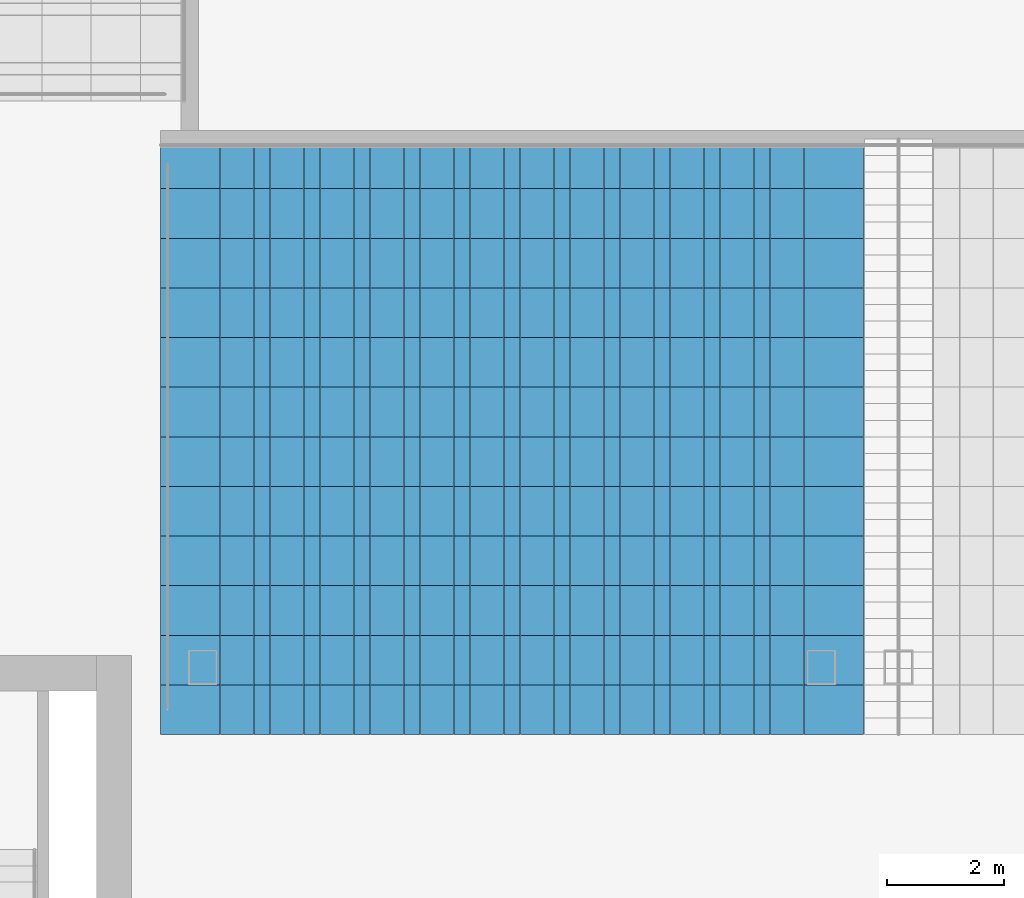
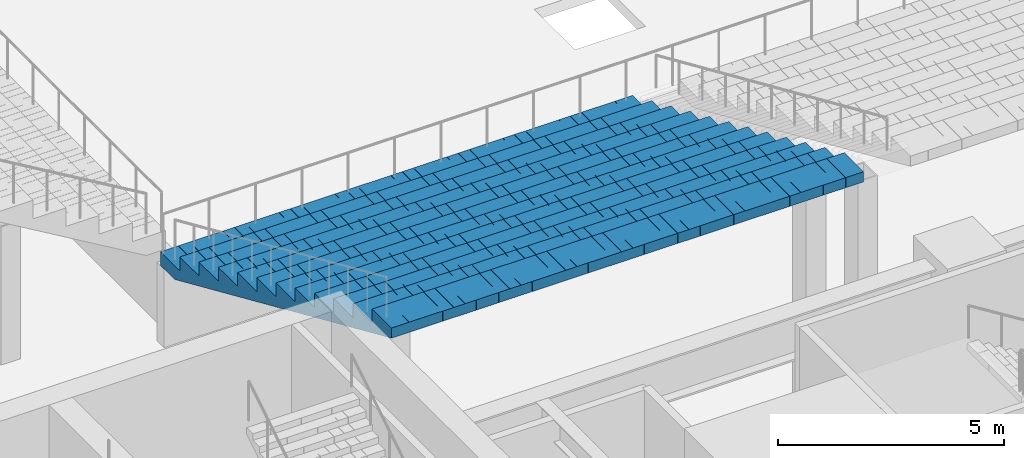
# One storey, part 14 of 62: 1 slab.
"""IFC4 building model written with IfcOpenShell, lengths in metres."""

from ifc_helpers import new_model, si_unit, direction, frame, origin, place, context, subcontext, project, spatial, polyline, outline, extrude, material, layer, layer_set, type_object, element, save


model = new_model("IFC4")

# Units and contexts
model_context = context("Model", 3, precision=1e-05, world=origin(), true_north=direction((0.0, 1.0)))
body_context = subcontext(model_context, "Body", "Model", "MODEL_VIEW")
ifc_project = project(units=[si_unit("LENGTHUNIT", "METRE"), si_unit("AREAUNIT", "SQUARE_METRE"), si_unit("VOLUMEUNIT", "CUBIC_METRE"), si_unit("PLANEANGLEUNIT", "RADIAN"), si_unit("MASSUNIT", "GRAM", prefix="KILO")], contexts=[model_context])

# Site, building, storey
site_placement = place(None, origin())
site = spatial("IfcSite", under=ifc_project, at=site_placement, CompositionType="ELEMENT")
building_placement = place(site_placement, origin())
building = spatial("IfcBuilding", under=site, at=building_placement, Name="Corbelhall Arena Tower", CompositionType="ELEMENT")
storey_placement = place(building_placement, frame((0.0, 0.0, 12.0)))
storey = spatial("IfcBuildingStorey", under=building, at=storey_placement, Name="L01", CompositionType="ELEMENT", Elevation=12.0)

# Slab
ifc_material = material(Name="Precast concrete C40/50", Category="concrete")
ifc_layer = layer(ifc_material, 0.25)
ifc_layer_set = layer_set([ifc_layer], Name="AR-TIER-RAKED")
slab_type = type_object("IfcSlabType", Name="AR-TIER-RAKED", PredefinedType="FLOOR", material=ifc_layer_set)
slab_placement = place(storey_placement, frame((-26.47998046875, -15.14990234375, 2.125), z_axis=(0.0, 0.0, 1.0), x_axis=(0.0, -1.0, 0.0)))
element("IfcSlab", 1, at=slab_placement, inside=storey, type_object=slab_type, Name="Tier section LSE", PredefinedType="FLOOR", context=body_context, shape_type="SweptSolid", body=[
    extrude(outline(polyline([(0.0, 0.0), (0.0, 0.375), (0.85009765625, 0.375), (0.85009765625, 0.75), (1.699951171875, 0.75), (1.699951171875, 1.125), (2.550048828125, 1.125), (2.550048828125, 1.5), (3.39990234375, 1.5), (3.39990234375, 1.875), (4.25, 1.875), (4.25, 2.25), (5.10009765625, 2.25), (5.10009765625, 2.625), (5.949951171875, 2.625), (5.949951171875, 3.0), (6.800048828125, 3.0), (6.800048828125, 3.375), (7.64990234375, 3.375), (7.64990234375, 3.75), (8.5, 3.75), (8.5, 4.125), (9.35009765625, 4.125), (9.35009765625, 4.5), (10.199951171875, 4.5), (10.199951171875, 4.875), (10.199951171875, 4.226806640625), (0.619384765625, 0.0), (0.0, 0.0)])), frame((0.0, 6.02001953125, 0.0), z_axis=(0.0, -1.0, 0.0), x_axis=(1.0, 0.0, 0.0)), (0.0, 0.0, 1.0), 0.449951171875),
    extrude(outline(polyline([(0.0, 0.0), (0.0, 0.375), (0.85009765625, 0.375), (0.85009765625, 0.75), (1.699951171875, 0.75), (1.699951171875, 1.125), (2.550048828125, 1.125), (2.550048828125, 1.5), (3.39990234375, 1.5), (3.39990234375, 1.875), (4.25, 1.875), (4.25, 2.25), (5.10009765625, 2.25), (5.10009765625, 2.625), (5.949951171875, 2.625), (5.949951171875, 3.0), (6.800048828125, 3.0), (6.800048828125, 3.375), (7.64990234375, 3.375), (7.64990234375, 3.75), (8.5, 3.75), (8.5, 4.125), (9.35009765625, 4.125), (9.35009765625, 4.5), (10.199951171875, 4.5), (10.199951171875, 4.875), (10.199951171875, 4.226806640625), (0.619384765625, 0.0), (0.0, 0.0)])), frame((0.0, 5.56591796875, 0.0), z_axis=(0.0, -1.0, 0.0), x_axis=(1.0, 0.0, 0.0)), (0.0, 0.0, 1.0), 0.281494140625),
    extrude(outline(polyline([(0.0, 0.0), (0.0, 0.375), (0.85009765625, 0.375), (0.85009765625, 0.75), (1.699951171875, 0.75), (1.699951171875, 1.125), (2.550048828125, 1.125), (2.550048828125, 1.5), (3.39990234375, 1.5), (3.39990234375, 1.875), (4.25, 1.875), (4.25, 2.25), (5.10009765625, 2.25), (5.10009765625, 2.625), (5.949951171875, 2.625), (5.949951171875, 3.0), (6.800048828125, 3.0), (6.800048828125, 3.375), (7.64990234375, 3.375), (7.64990234375, 3.75), (8.5, 3.75), (8.5, 4.125), (9.35009765625, 4.125), (9.35009765625, 4.5), (10.199951171875, 4.5), (10.199951171875, 4.875), (10.199951171875, 4.226806640625), (0.619384765625, 0.0), (0.0, 0.0)])), frame((0.0, 5.280517578125, 0.0), z_axis=(0.0, -1.0, 0.0), x_axis=(1.0, 0.0, 0.0)), (0.0, 0.0, 1.0), 0.281494140625),
    extrude(outline(polyline([(0.0, 0.0), (0.0, 0.375), (0.85009765625, 0.375), (0.85009765625, 0.75), (1.699951171875, 0.75), (1.699951171875, 1.125), (2.550048828125, 1.125), (2.550048828125, 1.5), (3.39990234375, 1.5), (3.39990234375, 1.875), (4.25, 1.875), (4.25, 2.25), (5.10009765625, 2.25), (5.10009765625, 2.625), (5.949951171875, 2.625), (5.949951171875, 3.0), (6.800048828125, 3.0), (6.800048828125, 3.375), (7.64990234375, 3.375), (7.64990234375, 3.75), (8.5, 3.75), (8.5, 4.125), (9.35009765625, 4.125), (9.35009765625, 4.5), (10.199951171875, 4.5), (10.199951171875, 4.875), (10.199951171875, 4.226806640625), (0.619384765625, 0.0), (0.0, 0.0)])), frame((0.0, 4.994873046875, 0.0), z_axis=(0.0, -1.0, 0.0), x_axis=(1.0, 0.0, 0.0)), (0.0, 0.0, 1.0), 0.281494140625),
    extrude(outline(polyline([(0.0, 0.0), (0.0, 0.375), (0.85009765625, 0.375), (0.85009765625, 0.75), (1.699951171875, 0.75), (1.699951171875, 1.125), (2.550048828125, 1.125), (2.550048828125, 1.5), (3.39990234375, 1.5), (3.39990234375, 1.875), (4.25, 1.875), (4.25, 2.25), (5.10009765625, 2.25), (5.10009765625, 2.625), (5.949951171875, 2.625), (5.949951171875, 3.0), (6.800048828125, 3.0), (6.800048828125, 3.375), (7.64990234375, 3.375), (7.64990234375, 3.75), (8.5, 3.75), (8.5, 4.125), (9.35009765625, 4.125), (9.35009765625, 4.5), (10.199951171875, 4.5), (10.199951171875, 4.875), (10.199951171875, 4.226806640625), (0.619384765625, 0.0), (0.0, 0.0)])), frame((0.0, 4.70947265625, 0.0), z_axis=(0.0, -1.0, 0.0), x_axis=(1.0, 0.0, 0.0)), (0.0, 0.0, 1.0), 0.281494140625),
    extrude(outline(polyline([(0.0, 0.0), (0.0, 0.375), (0.85009765625, 0.375), (0.85009765625, 0.75), (1.699951171875, 0.75), (1.699951171875, 1.125), (2.550048828125, 1.125), (2.550048828125, 1.5), (3.39990234375, 1.5), (3.39990234375, 1.875), (4.25, 1.875), (4.25, 2.25), (5.10009765625, 2.25), (5.10009765625, 2.625), (5.949951171875, 2.625), (5.949951171875, 3.0), (6.800048828125, 3.0), (6.800048828125, 3.375), (7.64990234375, 3.375), (7.64990234375, 3.75), (8.5, 3.75), (8.5, 4.125), (9.35009765625, 4.125), (9.35009765625, 4.5), (10.199951171875, 4.5), (10.199951171875, 4.875), (10.199951171875, 4.226806640625), (0.619384765625, 0.0), (0.0, 0.0)])), frame((0.0, 4.423828125, 0.0), z_axis=(0.0, -1.0, 0.0), x_axis=(1.0, 0.0, 0.0)), (0.0, 0.0, 1.0), 0.281494140625),
    extrude(outline(polyline([(0.0, 0.0), (0.0, 0.375), (0.85009765625, 0.375), (0.85009765625, 0.75), (1.699951171875, 0.75), (1.699951171875, 1.125), (2.550048828125, 1.125), (2.550048828125, 1.5), (3.39990234375, 1.5), (3.39990234375, 1.875), (4.25, 1.875), (4.25, 2.25), (5.10009765625, 2.25), (5.10009765625, 2.625), (5.949951171875, 2.625), (5.949951171875, 3.0), (6.800048828125, 3.0), (6.800048828125, 3.375), (7.64990234375, 3.375), (7.64990234375, 3.75), (8.5, 3.75), (8.5, 4.125), (9.35009765625, 4.125), (9.35009765625, 4.5), (10.199951171875, 4.5), (10.199951171875, 4.875), (10.199951171875, 4.226806640625), (0.619384765625, 0.0), (0.0, 0.0)])), frame((0.0, 4.138427734375, 0.0), z_axis=(0.0, -1.0, 0.0), x_axis=(1.0, 0.0, 0.0)), (0.0, 0.0, 1.0), 0.281494140625),
    extrude(outline(polyline([(0.0, 0.0), (0.0, 0.375), (0.85009765625, 0.375), (0.85009765625, 0.75), (1.699951171875, 0.75), (1.699951171875, 1.125), (2.550048828125, 1.125), (2.550048828125, 1.5), (3.39990234375, 1.5), (3.39990234375, 1.875), (4.25, 1.875), (4.25, 2.25), (5.10009765625, 2.25), (5.10009765625, 2.625), (5.949951171875, 2.625), (5.949951171875, 3.0), (6.800048828125, 3.0), (6.800048828125, 3.375), (7.64990234375, 3.375), (7.64990234375, 3.75), (8.5, 3.75), (8.5, 4.125), (9.35009765625, 4.125), (9.35009765625, 4.5), (10.199951171875, 4.5), (10.199951171875, 4.875), (10.199951171875, 4.226806640625), (0.619384765625, 0.0), (0.0, 0.0)])), frame((0.0, 3.852783203125, 0.0), z_axis=(0.0, -1.0, 0.0), x_axis=(1.0, 0.0, 0.0)), (0.0, 0.0, 1.0), 0.281494140625),
    extrude(outline(polyline([(0.0, 0.0), (0.0, 0.375), (0.85009765625, 0.375), (0.85009765625, 0.75), (1.699951171875, 0.75), (1.699951171875, 1.125), (2.550048828125, 1.125), (2.550048828125, 1.5), (3.39990234375, 1.5), (3.39990234375, 1.875), (4.25, 1.875), (4.25, 2.25), (5.10009765625, 2.25), (5.10009765625, 2.625), (5.949951171875, 2.625), (5.949951171875, 3.0), (6.800048828125, 3.0), (6.800048828125, 3.375), (7.64990234375, 3.375), (7.64990234375, 3.75), (8.5, 3.75), (8.5, 4.125), (9.35009765625, 4.125), (9.35009765625, 4.5), (10.199951171875, 4.5), (10.199951171875, 4.875), (10.199951171875, 4.226806640625), (0.619384765625, 0.0), (0.0, 0.0)])), frame((0.0, 3.567138671875, 0.0), z_axis=(0.0, -1.0, 0.0), x_axis=(1.0, 0.0, 0.0)), (0.0, 0.0, 1.0), 0.281494140625),
    extrude(outline(polyline([(0.0, 0.0), (0.0, 0.375), (0.85009765625, 0.375), (0.85009765625, 0.75), (1.699951171875, 0.75), (1.699951171875, 1.125), (2.550048828125, 1.125), (2.550048828125, 1.5), (3.39990234375, 1.5), (3.39990234375, 1.875), (4.25, 1.875), (4.25, 2.25), (5.10009765625, 2.25), (5.10009765625, 2.625), (5.949951171875, 2.625), (5.949951171875, 3.0), (6.800048828125, 3.0), (6.800048828125, 3.375), (7.64990234375, 3.375), (7.64990234375, 3.75), (8.5, 3.75), (8.5, 4.125), (9.35009765625, 4.125), (9.35009765625, 4.5), (10.199951171875, 4.5), (10.199951171875, 4.875), (10.199951171875, 4.226806640625), (0.619384765625, 0.0), (0.0, 0.0)])), frame((0.0, 3.28173828125, 0.0), z_axis=(0.0, -1.0, 0.0), x_axis=(1.0, 0.0, 0.0)), (0.0, 0.0, 1.0), 0.281494140625),
    extrude(outline(polyline([(0.0, 0.0), (0.0, 0.375), (0.85009765625, 0.375), (0.85009765625, 0.75), (1.699951171875, 0.75), (1.699951171875, 1.125), (2.550048828125, 1.125), (2.550048828125, 1.5), (3.39990234375, 1.5), (3.39990234375, 1.875), (4.25, 1.875), (4.25, 2.25), (5.10009765625, 2.25), (5.10009765625, 2.625), (5.949951171875, 2.625), (5.949951171875, 3.0), (6.800048828125, 3.0), (6.800048828125, 3.375), (7.64990234375, 3.375), (7.64990234375, 3.75), (8.5, 3.75), (8.5, 4.125), (9.35009765625, 4.125), (9.35009765625, 4.5), (10.199951171875, 4.5), (10.199951171875, 4.875), (10.199951171875, 4.226806640625), (0.619384765625, 0.0), (0.0, 0.0)])), frame((0.0, 2.99609375, 0.0), z_axis=(0.0, -1.0, 0.0), x_axis=(1.0, 0.0, 0.0)), (0.0, 0.0, 1.0), 0.281494140625),
    extrude(outline(polyline([(0.0, 0.0), (0.0, 0.375), (0.85009765625, 0.375), (0.85009765625, 0.75), (1.699951171875, 0.75), (1.699951171875, 1.125), (2.550048828125, 1.125), (2.550048828125, 1.5), (3.39990234375, 1.5), (3.39990234375, 1.875), (4.25, 1.875), (4.25, 2.25), (5.10009765625, 2.25), (5.10009765625, 2.625), (5.949951171875, 2.625), (5.949951171875, 3.0), (6.800048828125, 3.0), (6.800048828125, 3.375), (7.64990234375, 3.375), (7.64990234375, 3.75), (8.5, 3.75), (8.5, 4.125), (9.35009765625, 4.125), (9.35009765625, 4.5), (10.199951171875, 4.5), (10.199951171875, 4.875), (10.199951171875, 4.226806640625), (0.619384765625, 0.0), (0.0, 0.0)])), frame((0.0, 2.710693359375, 0.0), z_axis=(0.0, -1.0, 0.0), x_axis=(1.0, 0.0, 0.0)), (0.0, 0.0, 1.0), 0.281494140625),
    extrude(outline(polyline([(0.0, 0.0), (0.0, 0.375), (0.85009765625, 0.375), (0.85009765625, 0.75), (1.699951171875, 0.75), (1.699951171875, 1.125), (2.550048828125, 1.125), (2.550048828125, 1.5), (3.39990234375, 1.5), (3.39990234375, 1.875), (4.25, 1.875), (4.25, 2.25), (5.10009765625, 2.25), (5.10009765625, 2.625), (5.949951171875, 2.625), (5.949951171875, 3.0), (6.800048828125, 3.0), (6.800048828125, 3.375), (7.64990234375, 3.375), (7.64990234375, 3.75), (8.5, 3.75), (8.5, 4.125), (9.35009765625, 4.125), (9.35009765625, 4.5), (10.199951171875, 4.5), (10.199951171875, 4.875), (10.199951171875, 4.226806640625), (0.619384765625, 0.0), (0.0, 0.0)])), frame((0.0, 2.425048828125, 0.0), z_axis=(0.0, -1.0, 0.0), x_axis=(1.0, 0.0, 0.0)), (0.0, 0.0, 1.0), 0.281494140625),
    extrude(outline(polyline([(0.0, 0.0), (0.0, 0.375), (0.85009765625, 0.375), (0.85009765625, 0.75), (1.699951171875, 0.75), (1.699951171875, 1.125), (2.550048828125, 1.125), (2.550048828125, 1.5), (3.39990234375, 1.5), (3.39990234375, 1.875), (4.25, 1.875), (4.25, 2.25), (5.10009765625, 2.25), (5.10009765625, 2.625), (5.949951171875, 2.625), (5.949951171875, 3.0), (6.800048828125, 3.0), (6.800048828125, 3.375), (7.64990234375, 3.375), (7.64990234375, 3.75), (8.5, 3.75), (8.5, 4.125), (9.35009765625, 4.125), (9.35009765625, 4.5), (10.199951171875, 4.5), (10.199951171875, 4.875), (10.199951171875, 4.226806640625), (0.619384765625, 0.0), (0.0, 0.0)])), frame((0.0, 2.1396484375, 0.0), z_axis=(0.0, -1.0, 0.0), x_axis=(1.0, 0.0, 0.0)), (0.0, 0.0, 1.0), 0.281494140625),
    extrude(outline(polyline([(0.0, 0.0), (0.0, 0.375), (0.85009765625, 0.375), (0.85009765625, 0.75), (1.699951171875, 0.75), (1.699951171875, 1.125), (2.550048828125, 1.125), (2.550048828125, 1.5), (3.39990234375, 1.5), (3.39990234375, 1.875), (4.25, 1.875), (4.25, 2.25), (5.10009765625, 2.25), (5.10009765625, 2.625), (5.949951171875, 2.625), (5.949951171875, 3.0), (6.800048828125, 3.0), (6.800048828125, 3.375), (7.64990234375, 3.375), (7.64990234375, 3.75), (8.5, 3.75), (8.5, 4.125), (9.35009765625, 4.125), (9.35009765625, 4.5), (10.199951171875, 4.5), (10.199951171875, 4.875), (10.199951171875, 4.226806640625), (0.619384765625, 0.0), (0.0, 0.0)])), frame((0.0, 1.85400390625, 0.0), z_axis=(0.0, -1.0, 0.0), x_axis=(1.0, 0.0, 0.0)), (0.0, 0.0, 1.0), 0.281494140625),
    extrude(outline(polyline([(0.0, 0.0), (0.0, 0.375), (0.85009765625, 0.375), (0.85009765625, 0.75), (1.699951171875, 0.75), (1.699951171875, 1.125), (2.550048828125, 1.125), (2.550048828125, 1.5), (3.39990234375, 1.5), (3.39990234375, 1.875), (4.25, 1.875), (4.25, 2.25), (5.10009765625, 2.25), (5.10009765625, 2.625), (5.949951171875, 2.625), (5.949951171875, 3.0), (6.800048828125, 3.0), (6.800048828125, 3.375), (7.64990234375, 3.375), (7.64990234375, 3.75), (8.5, 3.75), (8.5, 4.125), (9.35009765625, 4.125), (9.35009765625, 4.5), (10.199951171875, 4.5), (10.199951171875, 4.875), (10.199951171875, 4.226806640625), (0.619384765625, 0.0), (0.0, 0.0)])), frame((0.0, 1.568359375, 0.0), z_axis=(0.0, -1.0, 0.0), x_axis=(1.0, 0.0, 0.0)), (0.0, 0.0, 1.0), 0.281494140625),
    extrude(outline(polyline([(0.0, 0.0), (0.0, 0.375), (0.85009765625, 0.375), (0.85009765625, 0.75), (1.699951171875, 0.75), (1.699951171875, 1.125), (2.550048828125, 1.125), (2.550048828125, 1.5), (3.39990234375, 1.5), (3.39990234375, 1.875), (4.25, 1.875), (4.25, 2.25), (5.10009765625, 2.25), (5.10009765625, 2.625), (5.949951171875, 2.625), (5.949951171875, 3.0), (6.800048828125, 3.0), (6.800048828125, 3.375), (7.64990234375, 3.375), (7.64990234375, 3.75), (8.5, 3.75), (8.5, 4.125), (9.35009765625, 4.125), (9.35009765625, 4.5), (10.199951171875, 4.5), (10.199951171875, 4.875), (10.199951171875, 4.226806640625), (0.619384765625, 0.0), (0.0, 0.0)])), frame((0.0, 1.282958984375, 0.0), z_axis=(0.0, -1.0, 0.0), x_axis=(1.0, 0.0, 0.0)), (0.0, 0.0, 1.0), 0.281494140625),
    extrude(outline(polyline([(0.0, 0.0), (0.0, 0.375), (0.85009765625, 0.375), (0.85009765625, 0.75), (1.699951171875, 0.75), (1.699951171875, 1.125), (2.550048828125, 1.125), (2.550048828125, 1.5), (3.39990234375, 1.5), (3.39990234375, 1.875), (4.25, 1.875), (4.25, 2.25), (5.10009765625, 2.25), (5.10009765625, 2.625), (5.949951171875, 2.625), (5.949951171875, 3.0), (6.800048828125, 3.0), (6.800048828125, 3.375), (7.64990234375, 3.375), (7.64990234375, 3.75), (8.5, 3.75), (8.5, 4.125), (9.35009765625, 4.125), (9.35009765625, 4.5), (10.199951171875, 4.5), (10.199951171875, 4.875), (10.199951171875, 4.226806640625), (0.619384765625, 0.0), (0.0, 0.0)])), frame((0.0, 0.997314453125, 0.0), z_axis=(0.0, -1.0, 0.0), x_axis=(1.0, 0.0, 0.0)), (0.0, 0.0, 1.0), 0.281494140625),
    extrude(outline(polyline([(0.0, 0.0), (0.0, 0.375), (0.85009765625, 0.375), (0.85009765625, 0.75), (1.699951171875, 0.75), (1.699951171875, 1.125), (2.550048828125, 1.125), (2.550048828125, 1.5), (3.39990234375, 1.5), (3.39990234375, 1.875), (4.25, 1.875), (4.25, 2.25), (5.10009765625, 2.25), (5.10009765625, 2.625), (5.949951171875, 2.625), (5.949951171875, 3.0), (6.800048828125, 3.0), (6.800048828125, 3.375), (7.64990234375, 3.375), (7.64990234375, 3.75), (8.5, 3.75), (8.5, 4.125), (9.35009765625, 4.125), (9.35009765625, 4.5), (10.199951171875, 4.5), (10.199951171875, 4.875), (10.199951171875, 4.226806640625), (0.619384765625, 0.0), (0.0, 0.0)])), frame((0.0, 0.7119140625, 0.0), z_axis=(0.0, -1.0, 0.0), x_axis=(1.0, 0.0, 0.0)), (0.0, 0.0, 1.0), 0.281494140625),
    extrude(outline(polyline([(0.0, 0.0), (0.0, 0.375), (0.85009765625, 0.375), (0.85009765625, 0.75), (1.699951171875, 0.75), (1.699951171875, 1.125), (2.550048828125, 1.125), (2.550048828125, 1.5), (3.39990234375, 1.5), (3.39990234375, 1.875), (4.25, 1.875), (4.25, 2.25), (5.10009765625, 2.25), (5.10009765625, 2.625), (5.949951171875, 2.625), (5.949951171875, 3.0), (6.800048828125, 3.0), (6.800048828125, 3.375), (7.64990234375, 3.375), (7.64990234375, 3.75), (8.5, 3.75), (8.5, 4.125), (9.35009765625, 4.125), (9.35009765625, 4.5), (10.199951171875, 4.5), (10.199951171875, 4.875), (10.199951171875, 4.226806640625), (0.619384765625, 0.0), (0.0, 0.0)])), frame((0.0, 0.42626953125, 0.0), z_axis=(0.0, -1.0, 0.0), x_axis=(1.0, 0.0, 0.0)), (0.0, 0.0, 1.0), 0.281494140625),
    extrude(outline(polyline([(0.0, 0.0), (0.0, 0.375), (0.85009765625, 0.375), (0.85009765625, 0.75), (1.699951171875, 0.75), (1.699951171875, 1.125), (2.550048828125, 1.125), (2.550048828125, 1.5), (3.39990234375, 1.5), (3.39990234375, 1.875), (4.25, 1.875), (4.25, 2.25), (5.10009765625, 2.25), (5.10009765625, 2.625), (5.949951171875, 2.625), (5.949951171875, 3.0), (6.800048828125, 3.0), (6.800048828125, 3.375), (7.64990234375, 3.375), (7.64990234375, 3.75), (8.5, 3.75), (8.5, 4.125), (9.35009765625, 4.125), (9.35009765625, 4.5), (10.199951171875, 4.5), (10.199951171875, 4.875), (10.199951171875, 4.226806640625), (0.619384765625, 0.0), (0.0, 0.0)])), frame((0.0, 0.140869140625, 0.0), z_axis=(0.0, -1.0, 0.0), x_axis=(1.0, 0.0, 0.0)), (0.0, 0.0, 1.0), 0.281494140625),
    extrude(outline(polyline([(0.0, 0.0), (0.0, 0.375), (0.85009765625, 0.375), (0.85009765625, 0.75), (1.699951171875, 0.75), (1.699951171875, 1.125), (2.550048828125, 1.125), (2.550048828125, 1.5), (3.39990234375, 1.5), (3.39990234375, 1.875), (4.25, 1.875), (4.25, 2.25), (5.10009765625, 2.25), (5.10009765625, 2.625), (5.949951171875, 2.625), (5.949951171875, 3.0), (6.800048828125, 3.0), (6.800048828125, 3.375), (7.64990234375, 3.375), (7.64990234375, 3.75), (8.5, 3.75), (8.5, 4.125), (9.35009765625, 4.125), (9.35009765625, 4.5), (10.199951171875, 4.5), (10.199951171875, 4.875), (10.199951171875, 4.226806640625), (0.619384765625, 0.0), (0.0, 0.0)])), frame((0.0, -0.144775390625, 0.0), z_axis=(0.0, -1.0, 0.0), x_axis=(1.0, 0.0, 0.0)), (0.0, 0.0, 1.0), 0.281494140625),
    extrude(outline(polyline([(0.0, 0.0), (0.0, 0.375), (0.85009765625, 0.375), (0.85009765625, 0.75), (1.699951171875, 0.75), (1.699951171875, 1.125), (2.550048828125, 1.125), (2.550048828125, 1.5), (3.39990234375, 1.5), (3.39990234375, 1.875), (4.25, 1.875), (4.25, 2.25), (5.10009765625, 2.25), (5.10009765625, 2.625), (5.949951171875, 2.625), (5.949951171875, 3.0), (6.800048828125, 3.0), (6.800048828125, 3.375), (7.64990234375, 3.375), (7.64990234375, 3.75), (8.5, 3.75), (8.5, 4.125), (9.35009765625, 4.125), (9.35009765625, 4.5), (10.199951171875, 4.5), (10.199951171875, 4.875), (10.199951171875, 4.226806640625), (0.619384765625, 0.0), (0.0, 0.0)])), frame((0.0, -0.430419921875, 0.0), z_axis=(0.0, -1.0, 0.0), x_axis=(1.0, 0.0, 0.0)), (0.0, 0.0, 1.0), 0.281494140625),
    extrude(outline(polyline([(0.0, 0.0), (0.0, 0.375), (0.85009765625, 0.375), (0.85009765625, 0.75), (1.699951171875, 0.75), (1.699951171875, 1.125), (2.550048828125, 1.125), (2.550048828125, 1.5), (3.39990234375, 1.5), (3.39990234375, 1.875), (4.25, 1.875), (4.25, 2.25), (5.10009765625, 2.25), (5.10009765625, 2.625), (5.949951171875, 2.625), (5.949951171875, 3.0), (6.800048828125, 3.0), (6.800048828125, 3.375), (7.64990234375, 3.375), (7.64990234375, 3.75), (8.5, 3.75), (8.5, 4.125), (9.35009765625, 4.125), (9.35009765625, 4.5), (10.199951171875, 4.5), (10.199951171875, 4.875), (10.199951171875, 4.226806640625), (0.619384765625, 0.0), (0.0, 0.0)])), frame((0.0, -0.7158203125, 0.0), z_axis=(0.0, -1.0, 0.0), x_axis=(1.0, 0.0, 0.0)), (0.0, 0.0, 1.0), 0.281494140625),
    extrude(outline(polyline([(0.0, 0.0), (0.0, 0.375), (0.85009765625, 0.375), (0.85009765625, 0.75), (1.699951171875, 0.75), (1.699951171875, 1.125), (2.550048828125, 1.125), (2.550048828125, 1.5), (3.39990234375, 1.5), (3.39990234375, 1.875), (4.25, 1.875), (4.25, 2.25), (5.10009765625, 2.25), (5.10009765625, 2.625), (5.949951171875, 2.625), (5.949951171875, 3.0), (6.800048828125, 3.0), (6.800048828125, 3.375), (7.64990234375, 3.375), (7.64990234375, 3.75), (8.5, 3.75), (8.5, 4.125), (9.35009765625, 4.125), (9.35009765625, 4.5), (10.199951171875, 4.5), (10.199951171875, 4.875), (10.199951171875, 4.226806640625), (0.619384765625, 0.0), (0.0, 0.0)])), frame((0.0, -1.00146484375, 0.0), z_axis=(0.0, -1.0, 0.0), x_axis=(1.0, 0.0, 0.0)), (0.0, 0.0, 1.0), 0.281494140625),
    extrude(outline(polyline([(0.0, 0.0), (0.0, 0.375), (0.85009765625, 0.375), (0.85009765625, 0.75), (1.699951171875, 0.75), (1.699951171875, 1.125), (2.550048828125, 1.125), (2.550048828125, 1.5), (3.39990234375, 1.5), (3.39990234375, 1.875), (4.25, 1.875), (4.25, 2.25), (5.10009765625, 2.25), (5.10009765625, 2.625), (5.949951171875, 2.625), (5.949951171875, 3.0), (6.800048828125, 3.0), (6.800048828125, 3.375), (7.64990234375, 3.375), (7.64990234375, 3.75), (8.5, 3.75), (8.5, 4.125), (9.35009765625, 4.125), (9.35009765625, 4.5), (10.199951171875, 4.5), (10.199951171875, 4.875), (10.199951171875, 4.226806640625), (0.619384765625, 0.0), (0.0, 0.0)])), frame((0.0, -1.286865234375, 0.0), z_axis=(0.0, -1.0, 0.0), x_axis=(1.0, 0.0, 0.0)), (0.0, 0.0, 1.0), 0.281494140625),
    extrude(outline(polyline([(0.0, 0.0), (0.0, 0.375), (0.85009765625, 0.375), (0.85009765625, 0.75), (1.699951171875, 0.75), (1.699951171875, 1.125), (2.550048828125, 1.125), (2.550048828125, 1.5), (3.39990234375, 1.5), (3.39990234375, 1.875), (4.25, 1.875), (4.25, 2.25), (5.10009765625, 2.25), (5.10009765625, 2.625), (5.949951171875, 2.625), (5.949951171875, 3.0), (6.800048828125, 3.0), (6.800048828125, 3.375), (7.64990234375, 3.375), (7.64990234375, 3.75), (8.5, 3.75), (8.5, 4.125), (9.35009765625, 4.125), (9.35009765625, 4.5), (10.199951171875, 4.5), (10.199951171875, 4.875), (10.199951171875, 4.226806640625), (0.619384765625, 0.0), (0.0, 0.0)])), frame((0.0, -1.572509765625, 0.0), z_axis=(0.0, -1.0, 0.0), x_axis=(1.0, 0.0, 0.0)), (0.0, 0.0, 1.0), 0.281494140625),
    extrude(outline(polyline([(0.0, 0.0), (0.0, 0.375), (0.85009765625, 0.375), (0.85009765625, 0.75), (1.699951171875, 0.75), (1.699951171875, 1.125), (2.550048828125, 1.125), (2.550048828125, 1.5), (3.39990234375, 1.5), (3.39990234375, 1.875), (4.25, 1.875), (4.25, 2.25), (5.10009765625, 2.25), (5.10009765625, 2.625), (5.949951171875, 2.625), (5.949951171875, 3.0), (6.800048828125, 3.0), (6.800048828125, 3.375), (7.64990234375, 3.375), (7.64990234375, 3.75), (8.5, 3.75), (8.5, 4.125), (9.35009765625, 4.125), (9.35009765625, 4.5), (10.199951171875, 4.5), (10.199951171875, 4.875), (10.199951171875, 4.226806640625), (0.619384765625, 0.0), (0.0, 0.0)])), frame((0.0, -1.85791015625, 0.0), z_axis=(0.0, -1.0, 0.0), x_axis=(1.0, 0.0, 0.0)), (0.0, 0.0, 1.0), 0.281494140625),
    extrude(outline(polyline([(0.0, 0.0), (0.0, 0.375), (0.85009765625, 0.375), (0.85009765625, 0.75), (1.699951171875, 0.75), (1.699951171875, 1.125), (2.550048828125, 1.125), (2.550048828125, 1.5), (3.39990234375, 1.5), (3.39990234375, 1.875), (4.25, 1.875), (4.25, 2.25), (5.10009765625, 2.25), (5.10009765625, 2.625), (5.949951171875, 2.625), (5.949951171875, 3.0), (6.800048828125, 3.0), (6.800048828125, 3.375), (7.64990234375, 3.375), (7.64990234375, 3.75), (8.5, 3.75), (8.5, 4.125), (9.35009765625, 4.125), (9.35009765625, 4.5), (10.199951171875, 4.5), (10.199951171875, 4.875), (10.199951171875, 4.226806640625), (0.619384765625, 0.0), (0.0, 0.0)])), frame((0.0, -2.1435546875, 0.0), z_axis=(0.0, -1.0, 0.0), x_axis=(1.0, 0.0, 0.0)), (0.0, 0.0, 1.0), 0.281494140625),
    extrude(outline(polyline([(0.0, 0.0), (0.0, 0.375), (0.85009765625, 0.375), (0.85009765625, 0.75), (1.699951171875, 0.75), (1.699951171875, 1.125), (2.550048828125, 1.125), (2.550048828125, 1.5), (3.39990234375, 1.5), (3.39990234375, 1.875), (4.25, 1.875), (4.25, 2.25), (5.10009765625, 2.25), (5.10009765625, 2.625), (5.949951171875, 2.625), (5.949951171875, 3.0), (6.800048828125, 3.0), (6.800048828125, 3.375), (7.64990234375, 3.375), (7.64990234375, 3.75), (8.5, 3.75), (8.5, 4.125), (9.35009765625, 4.125), (9.35009765625, 4.5), (10.199951171875, 4.5), (10.199951171875, 4.875), (10.199951171875, 4.226806640625), (0.619384765625, 0.0), (0.0, 0.0)])), frame((0.0, -2.42919921875, 0.0), z_axis=(0.0, -1.0, 0.0), x_axis=(1.0, 0.0, 0.0)), (0.0, 0.0, 1.0), 0.281494140625),
    extrude(outline(polyline([(0.0, 0.0), (0.0, 0.375), (0.85009765625, 0.375), (0.85009765625, 0.75), (1.699951171875, 0.75), (1.699951171875, 1.125), (2.550048828125, 1.125), (2.550048828125, 1.5), (3.39990234375, 1.5), (3.39990234375, 1.875), (4.25, 1.875), (4.25, 2.25), (5.10009765625, 2.25), (5.10009765625, 2.625), (5.949951171875, 2.625), (5.949951171875, 3.0), (6.800048828125, 3.0), (6.800048828125, 3.375), (7.64990234375, 3.375), (7.64990234375, 3.75), (8.5, 3.75), (8.5, 4.125), (9.35009765625, 4.125), (9.35009765625, 4.5), (10.199951171875, 4.5), (10.199951171875, 4.875), (10.199951171875, 4.226806640625), (0.619384765625, 0.0), (0.0, 0.0)])), frame((0.0, -2.714599609375, 0.0), z_axis=(0.0, -1.0, 0.0), x_axis=(1.0, 0.0, 0.0)), (0.0, 0.0, 1.0), 0.281494140625),
    extrude(outline(polyline([(0.0, 0.0), (0.0, 0.375), (0.85009765625, 0.375), (0.85009765625, 0.75), (1.699951171875, 0.75), (1.699951171875, 1.125), (2.550048828125, 1.125), (2.550048828125, 1.5), (3.39990234375, 1.5), (3.39990234375, 1.875), (4.25, 1.875), (4.25, 2.25), (5.10009765625, 2.25), (5.10009765625, 2.625), (5.949951171875, 2.625), (5.949951171875, 3.0), (6.800048828125, 3.0), (6.800048828125, 3.375), (7.64990234375, 3.375), (7.64990234375, 3.75), (8.5, 3.75), (8.5, 4.125), (9.35009765625, 4.125), (9.35009765625, 4.5), (10.199951171875, 4.5), (10.199951171875, 4.875), (10.199951171875, 4.226806640625), (0.619384765625, 0.0), (0.0, 0.0)])), frame((0.0, -3.000244140625, 0.0), z_axis=(0.0, -1.0, 0.0), x_axis=(1.0, 0.0, 0.0)), (0.0, 0.0, 1.0), 0.281494140625),
    extrude(outline(polyline([(0.0, 0.0), (0.0, 0.375), (0.85009765625, 0.375), (0.85009765625, 0.75), (1.699951171875, 0.75), (1.699951171875, 1.125), (2.550048828125, 1.125), (2.550048828125, 1.5), (3.39990234375, 1.5), (3.39990234375, 1.875), (4.25, 1.875), (4.25, 2.25), (5.10009765625, 2.25), (5.10009765625, 2.625), (5.949951171875, 2.625), (5.949951171875, 3.0), (6.800048828125, 3.0), (6.800048828125, 3.375), (7.64990234375, 3.375), (7.64990234375, 3.75), (8.5, 3.75), (8.5, 4.125), (9.35009765625, 4.125), (9.35009765625, 4.5), (10.199951171875, 4.5), (10.199951171875, 4.875), (10.199951171875, 4.226806640625), (0.619384765625, 0.0), (0.0, 0.0)])), frame((0.0, -3.28564453125, 0.0), z_axis=(0.0, -1.0, 0.0), x_axis=(1.0, 0.0, 0.0)), (0.0, 0.0, 1.0), 0.281494140625),
    extrude(outline(polyline([(0.0, 0.0), (0.0, 0.375), (0.85009765625, 0.375), (0.85009765625, 0.75), (1.699951171875, 0.75), (1.699951171875, 1.125), (2.550048828125, 1.125), (2.550048828125, 1.5), (3.39990234375, 1.5), (3.39990234375, 1.875), (4.25, 1.875), (4.25, 2.25), (5.10009765625, 2.25), (5.10009765625, 2.625), (5.949951171875, 2.625), (5.949951171875, 3.0), (6.800048828125, 3.0), (6.800048828125, 3.375), (7.64990234375, 3.375), (7.64990234375, 3.75), (8.5, 3.75), (8.5, 4.125), (9.35009765625, 4.125), (9.35009765625, 4.5), (10.199951171875, 4.5), (10.199951171875, 4.875), (10.199951171875, 4.226806640625), (0.619384765625, 0.0), (0.0, 0.0)])), frame((0.0, -3.5712890625, 0.0), z_axis=(0.0, -1.0, 0.0), x_axis=(1.0, 0.0, 0.0)), (0.0, 0.0, 1.0), 0.281494140625),
    extrude(outline(polyline([(0.0, 0.0), (0.0, 0.375), (0.85009765625, 0.375), (0.85009765625, 0.75), (1.699951171875, 0.75), (1.699951171875, 1.125), (2.550048828125, 1.125), (2.550048828125, 1.5), (3.39990234375, 1.5), (3.39990234375, 1.875), (4.25, 1.875), (4.25, 2.25), (5.10009765625, 2.25), (5.10009765625, 2.625), (5.949951171875, 2.625), (5.949951171875, 3.0), (6.800048828125, 3.0), (6.800048828125, 3.375), (7.64990234375, 3.375), (7.64990234375, 3.75), (8.5, 3.75), (8.5, 4.125), (9.35009765625, 4.125), (9.35009765625, 4.5), (10.199951171875, 4.5), (10.199951171875, 4.875), (10.199951171875, 4.226806640625), (0.619384765625, 0.0), (0.0, 0.0)])), frame((0.0, -3.856689453125, 0.0), z_axis=(0.0, -1.0, 0.0), x_axis=(1.0, 0.0, 0.0)), (0.0, 0.0, 1.0), 0.281494140625),
    extrude(outline(polyline([(0.0, 0.0), (0.0, 0.375), (0.85009765625, 0.375), (0.85009765625, 0.75), (1.699951171875, 0.75), (1.699951171875, 1.125), (2.550048828125, 1.125), (2.550048828125, 1.5), (3.39990234375, 1.5), (3.39990234375, 1.875), (4.25, 1.875), (4.25, 2.25), (5.10009765625, 2.25), (5.10009765625, 2.625), (5.949951171875, 2.625), (5.949951171875, 3.0), (6.800048828125, 3.0), (6.800048828125, 3.375), (7.64990234375, 3.375), (7.64990234375, 3.75), (8.5, 3.75), (8.5, 4.125), (9.35009765625, 4.125), (9.35009765625, 4.5), (10.199951171875, 4.5), (10.199951171875, 4.875), (10.199951171875, 4.226806640625), (0.619384765625, 0.0), (0.0, 0.0)])), frame((0.0, -4.142333984375, 0.0), z_axis=(0.0, -1.0, 0.0), x_axis=(1.0, 0.0, 0.0)), (0.0, 0.0, 1.0), 0.281494140625),
    extrude(outline(polyline([(0.0, 0.0), (0.0, 0.375), (0.85009765625, 0.375), (0.85009765625, 0.75), (1.699951171875, 0.75), (1.699951171875, 1.125), (2.550048828125, 1.125), (2.550048828125, 1.5), (3.39990234375, 1.5), (3.39990234375, 1.875), (4.25, 1.875), (4.25, 2.25), (5.10009765625, 2.25), (5.10009765625, 2.625), (5.949951171875, 2.625), (5.949951171875, 3.0), (6.800048828125, 3.0), (6.800048828125, 3.375), (7.64990234375, 3.375), (7.64990234375, 3.75), (8.5, 3.75), (8.5, 4.125), (9.35009765625, 4.125), (9.35009765625, 4.5), (10.199951171875, 4.5), (10.199951171875, 4.875), (10.199951171875, 4.226806640625), (0.619384765625, 0.0), (0.0, 0.0)])), frame((0.0, -4.427978515625, 0.0), z_axis=(0.0, -1.0, 0.0), x_axis=(1.0, 0.0, 0.0)), (0.0, 0.0, 1.0), 0.281494140625),
    extrude(outline(polyline([(0.0, 0.0), (0.0, 0.375), (0.85009765625, 0.375), (0.85009765625, 0.75), (1.699951171875, 0.75), (1.699951171875, 1.125), (2.550048828125, 1.125), (2.550048828125, 1.5), (3.39990234375, 1.5), (3.39990234375, 1.875), (4.25, 1.875), (4.25, 2.25), (5.10009765625, 2.25), (5.10009765625, 2.625), (5.949951171875, 2.625), (5.949951171875, 3.0), (6.800048828125, 3.0), (6.800048828125, 3.375), (7.64990234375, 3.375), (7.64990234375, 3.75), (8.5, 3.75), (8.5, 4.125), (9.35009765625, 4.125), (9.35009765625, 4.5), (10.199951171875, 4.5), (10.199951171875, 4.875), (10.199951171875, 4.226806640625), (0.619384765625, 0.0), (0.0, 0.0)])), frame((0.0, -4.71337890625, 0.0), z_axis=(0.0, -1.0, 0.0), x_axis=(1.0, 0.0, 0.0)), (0.0, 0.0, 1.0), 0.281494140625),
    extrude(outline(polyline([(0.0, 0.0), (0.0, 0.375), (0.85009765625, 0.375), (0.85009765625, 0.75), (1.699951171875, 0.75), (1.699951171875, 1.125), (2.550048828125, 1.125), (2.550048828125, 1.5), (3.39990234375, 1.5), (3.39990234375, 1.875), (4.25, 1.875), (4.25, 2.25), (5.10009765625, 2.25), (5.10009765625, 2.625), (5.949951171875, 2.625), (5.949951171875, 3.0), (6.800048828125, 3.0), (6.800048828125, 3.375), (7.64990234375, 3.375), (7.64990234375, 3.75), (8.5, 3.75), (8.5, 4.125), (9.35009765625, 4.125), (9.35009765625, 4.5), (10.199951171875, 4.5), (10.199951171875, 4.875), (10.199951171875, 4.226806640625), (0.619384765625, 0.0), (0.0, 0.0)])), frame((0.0, -4.9990234375, 0.0), z_axis=(0.0, -1.0, 0.0), x_axis=(1.0, 0.0, 0.0)), (0.0, 0.0, 1.0), 0.281494140625),
    extrude(outline(polyline([(0.0, 0.0), (0.0, 0.375), (0.85009765625, 0.375), (0.85009765625, 0.75), (1.699951171875, 0.75), (1.699951171875, 1.125), (2.550048828125, 1.125), (2.550048828125, 1.5), (3.39990234375, 1.5), (3.39990234375, 1.875), (4.25, 1.875), (4.25, 2.25), (5.10009765625, 2.25), (5.10009765625, 2.625), (5.949951171875, 2.625), (5.949951171875, 3.0), (6.800048828125, 3.0), (6.800048828125, 3.375), (7.64990234375, 3.375), (7.64990234375, 3.75), (8.5, 3.75), (8.5, 4.125), (9.35009765625, 4.125), (9.35009765625, 4.5), (10.199951171875, 4.5), (10.199951171875, 4.875), (10.199951171875, 4.226806640625), (0.619384765625, 0.0), (0.0, 0.0)])), frame((0.0, -5.284423828125, 0.0), z_axis=(0.0, -1.0, 0.0), x_axis=(1.0, 0.0, 0.0)), (0.0, 0.0, 1.0), 0.281494140625),
    extrude(outline(polyline([(0.0, 0.0), (0.0, 0.375), (0.85009765625, 0.375), (0.85009765625, 0.75), (1.699951171875, 0.75), (1.699951171875, 1.125), (2.550048828125, 1.125), (2.550048828125, 1.5), (3.39990234375, 1.5), (3.39990234375, 1.875), (4.25, 1.875), (4.25, 2.25), (5.10009765625, 2.25), (5.10009765625, 2.625), (5.949951171875, 2.625), (5.949951171875, 3.0), (6.800048828125, 3.0), (6.800048828125, 3.375), (7.64990234375, 3.375), (7.64990234375, 3.75), (8.5, 3.75), (8.5, 4.125), (9.35009765625, 4.125), (9.35009765625, 4.5), (10.199951171875, 4.5), (10.199951171875, 4.875), (10.199951171875, 4.226806640625), (0.619384765625, 0.0), (0.0, 0.0)])), frame((0.0, -5.570068359375, 0.0), z_axis=(0.0, -1.0, 0.0), x_axis=(1.0, 0.0, 0.0)), (0.0, 0.0, 1.0), 0.449951171875),
])

save(model, "model.ifc")
